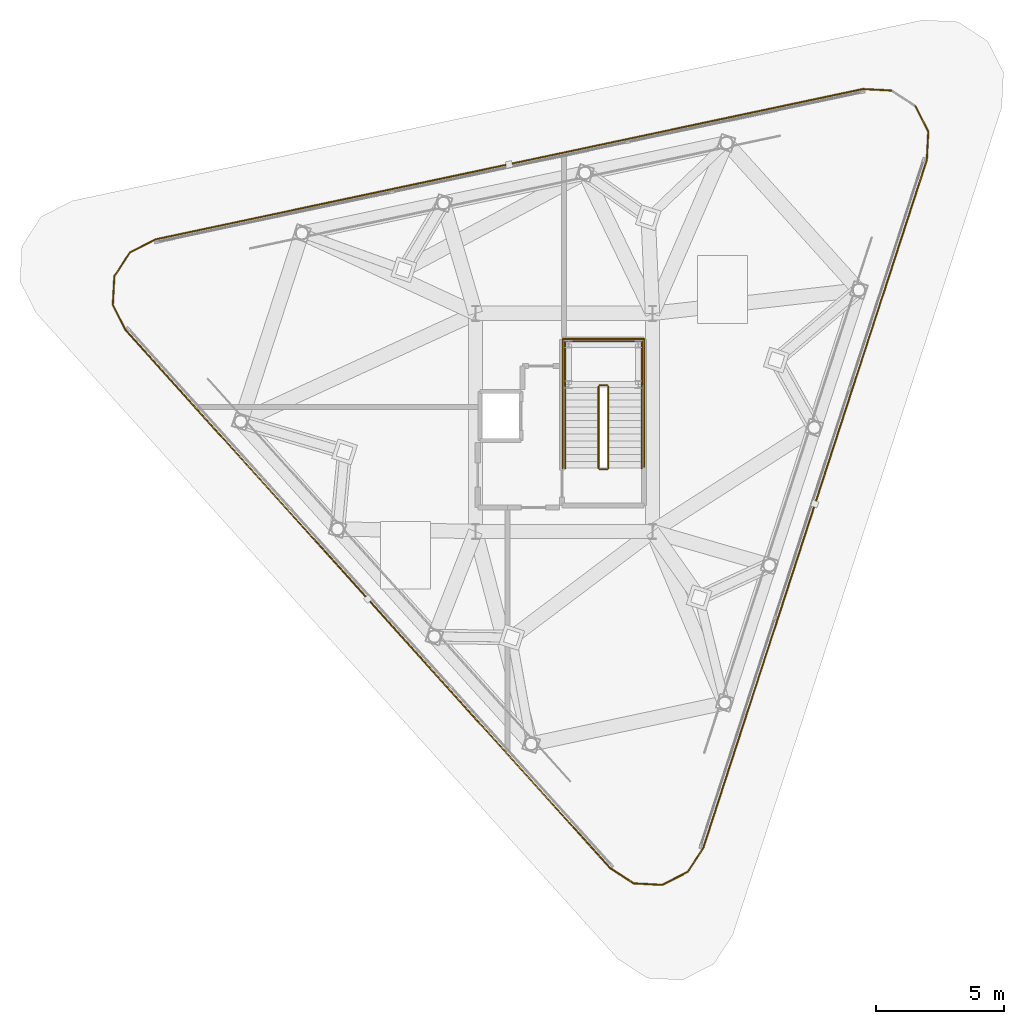
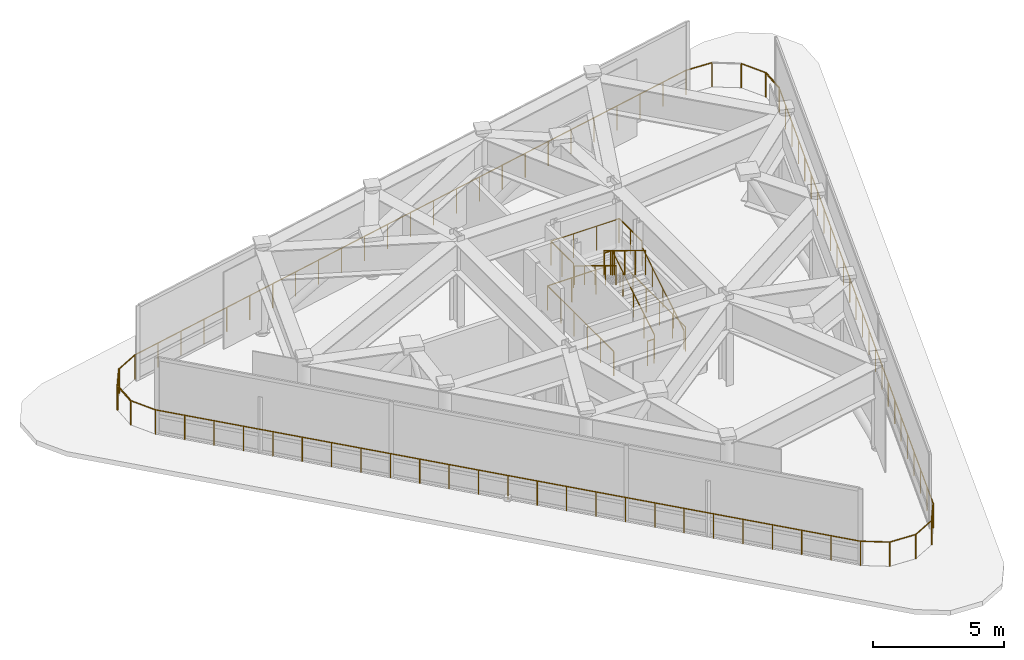
# One storey, part 5 of 6: 26 railings.
"""IFC4 building model written with IfcOpenShell, lengths in metres."""

from ifc_helpers import new_model, si_unit, direction, frame, origin, origin_2d, place, context, subcontext, project, spatial, circle, extrude, material, layer, layer_set, type_object, element, save


model = new_model("IFC4")

# Units and contexts
model_context = context("Model", 3, precision=1e-05, world=origin(), true_north=direction((0.0, 1.0)))
body_context = subcontext(model_context, "Body", "Model", "MODEL_VIEW")
ifc_project = project(units=[si_unit("LENGTHUNIT", "METRE"), si_unit("AREAUNIT", "SQUARE_METRE"), si_unit("VOLUMEUNIT", "CUBIC_METRE"), si_unit("PLANEANGLEUNIT", "RADIAN"), si_unit("MASSUNIT", "GRAM", prefix="KILO")], contexts=[model_context])

# Site, building, storey
site_placement = place(None, origin())
site = spatial("IfcSite", under=ifc_project, at=site_placement, CompositionType="ELEMENT")
building_placement = place(site_placement, origin())
building = spatial("IfcBuilding", under=site, at=building_placement, Name="Terralouvre Media Tower", CompositionType="ELEMENT")
storey_placement = place(building_placement, frame((0.0, 0.0, 326.60009765625)))
storey = spatial("IfcBuildingStorey", under=building, at=storey_placement, Name="L84", CompositionType="ELEMENT", Elevation=326.60009765625)

# Railings
ifc_material_1 = material(Name="Stainless steel 316 handrail and balustrade", Category="steel")
ifc_layer_1 = layer(ifc_material_1, 0.06005859375, Name="Roof Edge Safety Guardrail GR-ROOF1")
ifc_layer_set_1 = layer_set([ifc_layer_1], Name="Stainless steel 316 handrail and balustrade")
railing_type_1 = type_object("IfcRailingType", Name="Roof Edge Safety Guardrail GR-ROOF1", PredefinedType="GUARDRAIL", material=ifc_layer_set_1)
railing_1_placement = place(storey_placement, frame((1.787353515625, -17.364013671875, 0.0)))
element("IfcRailing", 1, at=railing_1_placement, inside=storey, type_object=railing_type_1, Name="L84 Crown Catwalk Safety Guardrail Edge 01", PredefinedType="GUARDRAIL", context=body_context, shape_type="SweptSolid", body=[
    extrude(circle(Radius=0.02392578125, at=origin_2d()), frame((0.0, 0.0, 1.1259765625), z_axis=(0.838639026231, -0.544687601918, 0.0), x_axis=(0.544687601918, 0.838639026231, 0.0)), (0.0, 0.0, 1.0), 1.113037109375),
    extrude(circle(Radius=0.02099609375, at=origin_2d()), origin(), (0.0, 0.0, 1.0), 1.101806640625),
    extrude(circle(Radius=0.02099609375, at=origin_2d()), frame((0.933349609375, -0.606201171875, 0.0)), (0.0, 0.0, 1.0), 1.101806640625),
])
railing_2_placement = place(storey_placement, frame((2.720703125, -17.97021484375, 0.0)))
element("IfcRailing", 2, at=railing_2_placement, inside=storey, type_object=railing_type_1, Name="L84 Crown Catwalk Safety Guardrail Edge 02", PredefinedType="GUARDRAIL", context=body_context, shape_type="SweptSolid", body=[
    extrude(circle(Radius=0.02392578125, at=origin_2d()), frame((0.0, 0.0, 1.1259765625), z_axis=(0.998624487588, -0.052432173228, 0.0), x_axis=(0.052432173228, 0.998624487588, 0.0)), (0.0, 0.0, 1.0), 1.11279296875),
    extrude(circle(Radius=0.02099609375, at=origin_2d()), origin(), (0.0, 0.0, 1.0), 1.101806640625),
    extrude(circle(Radius=0.02099609375, at=origin_2d()), frame((1.111328125, -0.058349609375, 0.0)), (0.0, 0.0, 1.0), 1.101806640625),
])
railing_3_placement = place(storey_placement, frame((3.83203125, -18.028564453125, 0.0)))
element("IfcRailing", 3, at=railing_3_placement, inside=storey, type_object=railing_type_1, Name="L84 Crown Catwalk Safety Guardrail Edge 03", PredefinedType="GUARDRAIL", context=body_context, shape_type="SweptSolid", body=[
    extrude(circle(Radius=0.02392578125, at=origin_2d()), frame((0.0, 0.0, 1.1259765625), z_axis=(0.89097922804, 0.454044067465, 0.0), x_axis=(-0.454044067465, 0.89097922804, 0.0)), (0.0, 0.0, 1.0), 1.113037109375),
    extrude(circle(Radius=0.02099609375, at=origin_2d()), origin(), (0.0, 0.0, 1.0), 1.101806640625),
    extrude(circle(Radius=0.02099609375, at=origin_2d()), frame((0.99169921875, 0.50537109375, 0.0)), (0.0, 0.0, 1.0), 1.101806640625),
])
railing_4_placement = place(storey_placement, frame((4.82373046875, -17.523193359375, 0.0)))
element("IfcRailing", 4, at=railing_4_placement, inside=storey, type_object=railing_type_1, Name="L84 Crown Catwalk Safety Guardrail Edge 04", PredefinedType="GUARDRAIL", context=body_context, shape_type="SweptSolid", body=[
    extrude(circle(Radius=0.02392578125, at=origin_2d()), frame((0.0, 0.0, 1.1259765625), z_axis=(0.544687601918, 0.838639026231, 0.0), x_axis=(-0.838639026231, 0.544687601918, 0.0)), (0.0, 0.0, 1.0), 1.113037109375),
    extrude(circle(Radius=0.02099609375, at=origin_2d()), origin(), (0.0, 0.0, 1.0), 1.101806640625),
    extrude(circle(Radius=0.02099609375, at=origin_2d()), frame((0.606201171875, 0.933349609375, 0.0)), (0.0, 0.0, 1.0), 1.101806640625),
])
railing_5_placement = place(storey_placement, frame((5.429931640625, -16.58984375, 0.0)))
element("IfcRailing", 5, at=railing_5_placement, inside=storey, type_object=railing_type_1, Name="L84 Crown Catwalk Safety Guardrail Edge 05", PredefinedType="GUARDRAIL", context=body_context, shape_type="SweptSolid", body=[
    extrude(circle(Radius=0.02392578125, at=origin_2d()), frame((0.0, 0.0, 1.1259765625), z_axis=(0.309011291148, 0.951058369367, 0.0), x_axis=(-0.951058369367, 0.309011291148, 0.0)), (0.0, 0.0, 1.0), 28.199951171875),
    extrude(circle(Radius=0.02099609375, at=origin_2d()), origin(), (0.0, 0.0, 1.0), 1.101806640625),
    extrude(circle(Radius=0.02099609375, at=origin_2d()), frame((0.363037109375, 1.117431640625, 0.0)), (0.0, 0.0, 1.0), 1.101806640625),
    extrude(circle(Radius=0.02099609375, at=origin_2d()), frame((0.72607421875, 2.23486328125, 0.0)), (0.0, 0.0, 1.0), 1.101806640625),
    extrude(circle(Radius=0.02099609375, at=origin_2d()), frame((1.08935546875, 3.3525390625, 0.0)), (0.0, 0.0, 1.0), 1.101806640625),
    extrude(circle(Radius=0.02099609375, at=origin_2d()), frame((1.452392578125, 4.469970703125, 0.0)), (0.0, 0.0, 1.0), 1.101806640625),
    extrude(circle(Radius=0.02099609375, at=origin_2d()), frame((1.8154296875, 5.58740234375, 0.0)), (0.0, 0.0, 1.0), 1.101806640625),
    extrude(circle(Radius=0.02099609375, at=origin_2d()), frame((2.178466796875, 6.705078125, 0.0)), (0.0, 0.0, 1.0), 1.101806640625),
    extrude(circle(Radius=0.02099609375, at=origin_2d()), frame((2.54150390625, 7.822509765625, 0.0)), (0.0, 0.0, 1.0), 1.101806640625),
    extrude(circle(Radius=0.02099609375, at=origin_2d()), frame((2.90478515625, 8.93994140625, 0.0)), (0.0, 0.0, 1.0), 1.101806640625),
    extrude(circle(Radius=0.02099609375, at=origin_2d()), frame((3.267822265625, 10.057373046875, 0.0)), (0.0, 0.0, 1.0), 1.101806640625),
    extrude(circle(Radius=0.02099609375, at=origin_2d()), frame((3.630859375, 11.1748046875, 0.0)), (0.0, 0.0, 1.0), 1.101806640625),
    extrude(circle(Radius=0.02099609375, at=origin_2d()), frame((3.993896484375, 12.29248046875, 0.0)), (0.0, 0.0, 1.0), 1.101806640625),
    extrude(circle(Radius=0.02099609375, at=origin_2d()), frame((4.35693359375, 13.409912109375, 0.0)), (0.0, 0.0, 1.0), 1.101806640625),
    extrude(circle(Radius=0.02099609375, at=origin_2d()), frame((4.72021484375, 14.52734375, 0.0)), (0.0, 0.0, 1.0), 1.101806640625),
    extrude(circle(Radius=0.02099609375, at=origin_2d()), frame((5.083251953125, 15.64501953125, 0.0)), (0.0, 0.0, 1.0), 1.101806640625),
    extrude(circle(Radius=0.02099609375, at=origin_2d()), frame((5.4462890625, 16.762451171875, 0.0)), (0.0, 0.0, 1.0), 1.101806640625),
    extrude(circle(Radius=0.02099609375, at=origin_2d()), frame((5.809326171875, 17.8798828125, 0.0)), (0.0, 0.0, 1.0), 1.101806640625),
    extrude(circle(Radius=0.02099609375, at=origin_2d()), frame((6.172607421875, 18.997314453125, 0.0)), (0.0, 0.0, 1.0), 1.101806640625),
    extrude(circle(Radius=0.02099609375, at=origin_2d()), frame((6.53564453125, 20.11474609375, 0.0)), (0.0, 0.0, 1.0), 1.101806640625),
    extrude(circle(Radius=0.02099609375, at=origin_2d()), frame((6.898681640625, 21.232421875, 0.0)), (0.0, 0.0, 1.0), 1.101806640625),
    extrude(circle(Radius=0.02099609375, at=origin_2d()), frame((7.26171875, 22.349853515625, 0.0)), (0.0, 0.0, 1.0), 1.101806640625),
    extrude(circle(Radius=0.02099609375, at=origin_2d()), frame((7.624755859375, 23.46728515625, 0.0)), (0.0, 0.0, 1.0), 1.101806640625),
    extrude(circle(Radius=0.02099609375, at=origin_2d()), frame((7.988037109375, 24.5849609375, 0.0)), (0.0, 0.0, 1.0), 1.101806640625),
    extrude(circle(Radius=0.02099609375, at=origin_2d()), frame((8.35107421875, 25.702392578125, 0.0)), (0.0, 0.0, 1.0), 1.101806640625),
    extrude(circle(Radius=0.02099609375, at=origin_2d()), frame((8.714111328125, 26.81982421875, 0.0)), (0.0, 0.0, 1.0), 1.101806640625),
])
railing_6_placement = place(storey_placement, frame((14.14404296875, 10.22998046875, 0.0)))
element("IfcRailing", 6, at=railing_6_placement, inside=storey, type_object=railing_type_1, Name="L84 Crown Catwalk Safety Guardrail Edge 06", PredefinedType="GUARDRAIL", context=body_context, shape_type="SweptSolid", body=[
    extrude(circle(Radius=0.02392578125, at=origin_2d()), frame((0.0, 0.0, 1.1259765625), z_axis=(0.052432173228, 0.998624487588, 0.0), x_axis=(-0.998624487588, 0.052432173228, 0.0)), (0.0, 0.0, 1.0), 1.11279296875),
    extrude(circle(Radius=0.02099609375, at=origin_2d()), origin(), (0.0, 0.0, 1.0), 1.101806640625),
    extrude(circle(Radius=0.02099609375, at=origin_2d()), frame((0.058349609375, 1.111328125, 0.0)), (0.0, 0.0, 1.0), 1.101806640625),
])
railing_7_placement = place(storey_placement, frame((14.202392578125, 11.34130859375, 0.0)))
element("IfcRailing", 7, at=railing_7_placement, inside=storey, type_object=railing_type_1, Name="L84 Crown Catwalk Safety Guardrail Edge 07", PredefinedType="GUARDRAIL", context=body_context, shape_type="SweptSolid", body=[
    extrude(circle(Radius=0.02392578125, at=origin_2d()), frame((0.0, 0.0, 1.1259765625), z_axis=(-0.454044067465, 0.89097922804, 0.0), x_axis=(-0.89097922804, -0.454044067465, 0.0)), (0.0, 0.0, 1.0), 1.113037109375),
    extrude(circle(Radius=0.02099609375, at=origin_2d()), origin(), (0.0, 0.0, 1.0), 1.101806640625),
    extrude(circle(Radius=0.02099609375, at=origin_2d()), frame((-0.50537109375, 0.99169921875, 0.0)), (0.0, 0.0, 1.0), 1.101806640625),
])
railing_8_placement = place(storey_placement, frame((12.763671875, 12.93896484375, 0.0)))
element("IfcRailing", 8, at=railing_8_placement, inside=storey, type_object=railing_type_1, Name="L84 Crown Catwalk Safety Guardrail Edge 09", PredefinedType="GUARDRAIL", context=body_context, shape_type="SweptSolid", body=[
    extrude(circle(Radius=0.02392578125, at=origin_2d()), frame((0.0, 0.0, 1.1259765625), z_axis=(-0.998624487588, 0.052432173228, 0.0), x_axis=(-0.052432173228, -0.998624487588, 0.0)), (0.0, 0.0, 1.0), 1.11279296875),
    extrude(circle(Radius=0.02099609375, at=origin_2d()), origin(), (0.0, 0.0, 1.0), 1.101806640625),
    extrude(circle(Radius=0.02099609375, at=origin_2d()), frame((-1.111328125, 0.058349609375, 0.0)), (0.0, 0.0, 1.0), 1.101806640625),
])
railing_9_placement = place(storey_placement, frame((11.65234375, 12.997314453125, 0.0)))
element("IfcRailing", 9, at=railing_9_placement, inside=storey, type_object=railing_type_1, Name="L84 Crown Catwalk Safety Guardrail Edge 10", PredefinedType="GUARDRAIL", context=body_context, shape_type="SweptSolid", body=[
    extrude(circle(Radius=0.02392578125, at=origin_2d()), frame((0.0, 0.0, 1.1259765625), z_axis=(-0.978148090206, -0.207909388017, 0.0), x_axis=(0.207909388017, -0.978148090206, 0.0)), (0.0, 0.0, 1.0), 28.199951171875),
    extrude(circle(Radius=0.02099609375, at=origin_2d()), origin(), (0.0, 0.0, 1.0), 1.101806640625),
    extrude(circle(Radius=0.02099609375, at=origin_2d()), frame((-1.1494140625, -0.244384765625, 0.0)), (0.0, 0.0, 1.0), 1.101806640625),
    extrude(circle(Radius=0.02099609375, at=origin_2d()), frame((-2.298583984375, -0.488525390625, 0.0)), (0.0, 0.0, 1.0), 1.101806640625),
    extrude(circle(Radius=0.02099609375, at=origin_2d()), frame((-3.447998046875, -0.73291015625, 0.0)), (0.0, 0.0, 1.0), 1.101806640625),
    extrude(circle(Radius=0.02099609375, at=origin_2d()), frame((-4.59716796875, -0.97705078125, 0.0)), (0.0, 0.0, 1.0), 1.101806640625),
    extrude(circle(Radius=0.02099609375, at=origin_2d()), frame((-5.74658203125, -1.221435546875, 0.0)), (0.0, 0.0, 1.0), 1.101806640625),
    extrude(circle(Radius=0.02099609375, at=origin_2d()), frame((-6.89599609375, -1.4658203125, 0.0)), (0.0, 0.0, 1.0), 1.101806640625),
    extrude(circle(Radius=0.02099609375, at=origin_2d()), frame((-8.045166015625, -1.7099609375, 0.0)), (0.0, 0.0, 1.0), 1.101806640625),
    extrude(circle(Radius=0.02099609375, at=origin_2d()), frame((-9.194580078125, -1.954345703125, 0.0)), (0.0, 0.0, 1.0), 1.101806640625),
    extrude(circle(Radius=0.02099609375, at=origin_2d()), frame((-10.343994140625, -2.19873046875, 0.0)), (0.0, 0.0, 1.0), 1.101806640625),
    extrude(circle(Radius=0.02099609375, at=origin_2d()), frame((-11.4931640625, -2.44287109375, 0.0)), (0.0, 0.0, 1.0), 1.101806640625),
    extrude(circle(Radius=0.02099609375, at=origin_2d()), frame((-12.642578125, -2.687255859375, 0.0)), (0.0, 0.0, 1.0), 1.101806640625),
    extrude(circle(Radius=0.02099609375, at=origin_2d()), frame((-13.7919921875, -2.931640625, 0.0)), (0.0, 0.0, 1.0), 1.101806640625),
    extrude(circle(Radius=0.02099609375, at=origin_2d()), frame((-14.941162109375, -3.17578125, 0.0)), (0.0, 0.0, 1.0), 1.101806640625),
    extrude(circle(Radius=0.02099609375, at=origin_2d()), frame((-16.090576171875, -3.420166015625, 0.0)), (0.0, 0.0, 1.0), 1.101806640625),
    extrude(circle(Radius=0.02099609375, at=origin_2d()), frame((-17.23974609375, -3.664306640625, 0.0)), (0.0, 0.0, 1.0), 1.101806640625),
    extrude(circle(Radius=0.02099609375, at=origin_2d()), frame((-18.38916015625, -3.90869140625, 0.0)), (0.0, 0.0, 1.0), 1.101806640625),
    extrude(circle(Radius=0.02099609375, at=origin_2d()), frame((-19.53857421875, -4.153076171875, 0.0)), (0.0, 0.0, 1.0), 1.101806640625),
    extrude(circle(Radius=0.02099609375, at=origin_2d()), frame((-20.687744140625, -4.397216796875, 0.0)), (0.0, 0.0, 1.0), 1.101806640625),
    extrude(circle(Radius=0.02099609375, at=origin_2d()), frame((-21.837158203125, -4.6416015625, 0.0)), (0.0, 0.0, 1.0), 1.101806640625),
    extrude(circle(Radius=0.02099609375, at=origin_2d()), frame((-22.986328125, -4.8857421875, 0.0)), (0.0, 0.0, 1.0), 1.101806640625),
    extrude(circle(Radius=0.02099609375, at=origin_2d()), frame((-24.1357421875, -5.130126953125, 0.0)), (0.0, 0.0, 1.0), 1.101806640625),
    extrude(circle(Radius=0.02099609375, at=origin_2d()), frame((-25.28515625, -5.37451171875, 0.0)), (0.0, 0.0, 1.0), 1.101806640625),
    extrude(circle(Radius=0.02099609375, at=origin_2d()), frame((-26.434326171875, -5.61865234375, 0.0)), (0.0, 0.0, 1.0), 1.101806640625),
    extrude(circle(Radius=0.02099609375, at=origin_2d()), frame((-27.583740234375, -5.863037109375, 0.0)), (0.0, 0.0, 1.0), 1.101806640625),
])
railing_10_placement = place(storey_placement, frame((-15.931396484375, 7.13427734375, 0.0)))
element("IfcRailing", 10, at=railing_10_placement, inside=storey, type_object=railing_type_1, Name="L84 Crown Catwalk Safety Guardrail Edge 11", PredefinedType="GUARDRAIL", context=body_context, shape_type="SweptSolid", body=[
    extrude(circle(Radius=0.02392578125, at=origin_2d()), frame((0.0, 0.0, 1.1259765625), z_axis=(-0.89097922804, -0.454044067465, 0.0), x_axis=(0.454044067465, -0.89097922804, 0.0)), (0.0, 0.0, 1.0), 1.113037109375),
    extrude(circle(Radius=0.02099609375, at=origin_2d()), origin(), (0.0, 0.0, 1.0), 1.101806640625),
    extrude(circle(Radius=0.02099609375, at=origin_2d()), frame((-0.99169921875, -0.50537109375, 0.0)), (0.0, 0.0, 1.0), 1.101806640625),
])
railing_11_placement = place(storey_placement, frame((-16.923095703125, 6.62890625, 0.0)))
element("IfcRailing", 11, at=railing_11_placement, inside=storey, type_object=railing_type_1, Name="L84 Crown Catwalk Safety Guardrail Edge 12", PredefinedType="GUARDRAIL", context=body_context, shape_type="SweptSolid", body=[
    extrude(circle(Radius=0.02392578125, at=origin_2d()), frame((0.0, 0.0, 1.1259765625), z_axis=(-0.544687601918, -0.838639026231, 0.0), x_axis=(0.838639026231, -0.544687601918, 0.0)), (0.0, 0.0, 1.0), 1.113037109375),
    extrude(circle(Radius=0.02099609375, at=origin_2d()), origin(), (0.0, 0.0, 1.0), 1.101806640625),
    extrude(circle(Radius=0.02099609375, at=origin_2d()), frame((-0.606201171875, -0.933349609375, 0.0)), (0.0, 0.0, 1.0), 1.101806640625),
])
railing_12_placement = place(storey_placement, frame((-17.529296875, 5.695556640625, 0.0)))
element("IfcRailing", 12, at=railing_12_placement, inside=storey, type_object=railing_type_1, Name="L84 Crown Catwalk Safety Guardrail Edge 13", PredefinedType="GUARDRAIL", context=body_context, shape_type="SweptSolid", body=[
    extrude(circle(Radius=0.02392578125, at=origin_2d()), frame((0.0, 0.0, 1.1259765625), z_axis=(-0.052213391089, -0.99863595058, 0.0), x_axis=(0.99863595058, -0.052213391089, 0.0)), (0.0, 0.0, 1.0), 1.11279296875),
    extrude(circle(Radius=0.02099609375, at=origin_2d()), origin(), (0.0, 0.0, 1.0), 1.101806640625),
    extrude(circle(Radius=0.02099609375, at=origin_2d()), frame((-0.05810546875, -1.111328125, 0.0)), (0.0, 0.0, 1.0), 1.101806640625),
])
railing_13_placement = place(storey_placement, frame((-17.58740234375, 4.584228515625, 0.0)))
element("IfcRailing", 13, at=railing_13_placement, inside=storey, type_object=railing_type_1, Name="L84 Crown Catwalk Safety Guardrail Edge 14", PredefinedType="GUARDRAIL", context=body_context, shape_type="SweptSolid", body=[
    extrude(circle(Radius=0.02392578125, at=origin_2d()), frame((0.0, 0.0, 1.1259765625), z_axis=(0.453869915776, -0.89106795451, 0.0), x_axis=(0.89106795451, 0.453869915776, 0.0)), (0.0, 0.0, 1.0), 1.113037109375),
    extrude(circle(Radius=0.02099609375, at=origin_2d()), origin(), (0.0, 0.0, 1.0), 1.101806640625),
    extrude(circle(Radius=0.02099609375, at=origin_2d()), frame((0.505126953125, -0.99169921875, 0.0)), (0.0, 0.0, 1.0), 1.101806640625),
])
railing_14_placement = place(storey_placement, frame((-17.082275390625, 3.592529296875, 0.0)))
element("IfcRailing", 14, at=railing_14_placement, inside=storey, type_object=railing_type_1, Name="L84 Crown Catwalk Safety Guardrail Edge 15", PredefinedType="GUARDRAIL", context=body_context, shape_type="SweptSolid", body=[
    extrude(circle(Radius=0.02392578125, at=origin_2d()), frame((0.0, 0.0, 1.1259765625), z_axis=(0.669135950042, -0.743140013969, 0.0), x_axis=(0.743140013969, 0.669135950042, 0.0)), (0.0, 0.0, 1.0), 28.199951171875),
    extrude(circle(Radius=0.02099609375, at=origin_2d()), origin(), (0.0, 0.0, 1.0), 1.101806640625),
    extrude(circle(Radius=0.02099609375, at=origin_2d()), frame((0.7861328125, -0.873291015625, 0.0)), (0.0, 0.0, 1.0), 1.101806640625),
    extrude(circle(Radius=0.02099609375, at=origin_2d()), frame((1.572509765625, -1.746337890625, 0.0)), (0.0, 0.0, 1.0), 1.101806640625),
    extrude(circle(Radius=0.02099609375, at=origin_2d()), frame((2.358642578125, -2.61962890625, 0.0)), (0.0, 0.0, 1.0), 1.101806640625),
    extrude(circle(Radius=0.02099609375, at=origin_2d()), frame((3.14501953125, -3.49267578125, 0.0)), (0.0, 0.0, 1.0), 1.101806640625),
    extrude(circle(Radius=0.02099609375, at=origin_2d()), frame((3.93115234375, -4.365966796875, 0.0)), (0.0, 0.0, 1.0), 1.101806640625),
    extrude(circle(Radius=0.02099609375, at=origin_2d()), frame((4.71728515625, -5.2392578125, 0.0)), (0.0, 0.0, 1.0), 1.101806640625),
    extrude(circle(Radius=0.02099609375, at=origin_2d()), frame((5.503662109375, -6.1123046875, 0.0)), (0.0, 0.0, 1.0), 1.101806640625),
    extrude(circle(Radius=0.02099609375, at=origin_2d()), frame((6.289794921875, -6.985595703125, 0.0)), (0.0, 0.0, 1.0), 1.101806640625),
    extrude(circle(Radius=0.02099609375, at=origin_2d()), frame((7.076171875, -7.858642578125, 0.0)), (0.0, 0.0, 1.0), 1.101806640625),
    extrude(circle(Radius=0.02099609375, at=origin_2d()), frame((7.8623046875, -8.73193359375, 0.0)), (0.0, 0.0, 1.0), 1.101806640625),
    extrude(circle(Radius=0.02099609375, at=origin_2d()), frame((8.648681640625, -9.60498046875, 0.0)), (0.0, 0.0, 1.0), 1.101806640625),
    extrude(circle(Radius=0.02099609375, at=origin_2d()), frame((9.434814453125, -10.478271484375, 0.0)), (0.0, 0.0, 1.0), 1.101806640625),
    extrude(circle(Radius=0.02099609375, at=origin_2d()), frame((10.220947265625, -11.3515625, 0.0)), (0.0, 0.0, 1.0), 1.101806640625),
    extrude(circle(Radius=0.02099609375, at=origin_2d()), frame((11.00732421875, -12.224609375, 0.0)), (0.0, 0.0, 1.0), 1.101806640625),
    extrude(circle(Radius=0.02099609375, at=origin_2d()), frame((11.79345703125, -13.097900390625, 0.0)), (0.0, 0.0, 1.0), 1.101806640625),
    extrude(circle(Radius=0.02099609375, at=origin_2d()), frame((12.579833984375, -13.970947265625, 0.0)), (0.0, 0.0, 1.0), 1.101806640625),
    extrude(circle(Radius=0.02099609375, at=origin_2d()), frame((13.365966796875, -14.84423828125, 0.0)), (0.0, 0.0, 1.0), 1.101806640625),
    extrude(circle(Radius=0.02099609375, at=origin_2d()), frame((14.15234375, -15.71728515625, 0.0)), (0.0, 0.0, 1.0), 1.101806640625),
    extrude(circle(Radius=0.02099609375, at=origin_2d()), frame((14.9384765625, -16.590576171875, 0.0)), (0.0, 0.0, 1.0), 1.101806640625),
    extrude(circle(Radius=0.02099609375, at=origin_2d()), frame((15.724609375, -17.4638671875, 0.0)), (0.0, 0.0, 1.0), 1.101806640625),
    extrude(circle(Radius=0.02099609375, at=origin_2d()), frame((16.510986328125, -18.3369140625, 0.0)), (0.0, 0.0, 1.0), 1.101806640625),
    extrude(circle(Radius=0.02099609375, at=origin_2d()), frame((17.297119140625, -19.210205078125, 0.0)), (0.0, 0.0, 1.0), 1.101806640625),
    extrude(circle(Radius=0.02099609375, at=origin_2d()), frame((18.08349609375, -20.083251953125, 0.0)), (0.0, 0.0, 1.0), 1.101806640625),
    extrude(circle(Radius=0.02099609375, at=origin_2d()), frame((18.86962890625, -20.95654296875, 0.0)), (0.0, 0.0, 1.0), 1.101806640625),
])
ifc_material_2 = material(Name="Stainless steel 316 handrail and balustrade", Category="steel")
ifc_layer_2 = layer(ifc_material_2, 0.050048828125, Name="Stair Flight Wall Handrail HR-INT1")
ifc_layer_set_2 = layer_set([ifc_layer_2], Name="Stainless steel 316 handrail and balustrade")
railing_type_2 = type_object("IfcRailingType", Name="Stair Flight Wall Handrail HR-INT1", PredefinedType="HANDRAIL", material=ifc_layer_set_2)
railing_15_placement = place(storey_placement, frame((3.030029296875, -1.780029296875, 0.161376953125)))
element("IfcRailing", 15, at=railing_15_placement, inside=storey, type_object=railing_type_2, Name="L84 ST-05 stair handrail 1", PredefinedType="HANDRAIL", context=body_context, shape_type="SweptSolid", body=[
    extrude(circle(Radius=0.02392578125, at=origin_2d()), frame((0.0, 0.0, 0.8759765625), z_axis=(0.0, 0.853856579767, 0.520508348818), x_axis=(-1.0, 0.0, 0.0)), (0.0, 0.0, 1.0), 3.72412109375),
    extrude(circle(Radius=0.02099609375, at=origin_2d()), origin(), (0.0, 0.0, 1.0), 0.851806640625),
    extrude(circle(Radius=0.02099609375, at=origin_2d()), frame((0.0, 0.794921875, 0.484619140625)), (0.0, 0.0, 1.0), 0.851806640625),
    extrude(circle(Radius=0.02099609375, at=origin_2d()), frame((0.0, 1.58984375, 0.96923828125)), (0.0, 0.0, 1.0), 0.851806640625),
    extrude(circle(Radius=0.02099609375, at=origin_2d()), frame((0.0, 2.385009765625, 1.453857421875)), (0.0, 0.0, 1.0), 0.851806640625),
    extrude(circle(Radius=0.02099609375, at=origin_2d()), frame((0.0, 3.179931640625, 1.9384765625)), (0.0, 0.0, 1.0), 0.851806640625),
])
railing_16_placement = place(storey_placement, frame((0.050048828125, 1.39990234375, 2.261474609375)))
element("IfcRailing", 16, at=railing_16_placement, inside=storey, type_object=railing_type_2, Name="L84 ST-05 stair handrail 2", PredefinedType="HANDRAIL", context=body_context, shape_type="SweptSolid", body=[
    extrude(circle(Radius=0.02392578125, at=origin_2d()), frame((0.0, 0.0, 0.8759765625), z_axis=(0.0, -0.853856579767, 0.520508348818), x_axis=(1.0, 0.0, 0.0)), (0.0, 0.0, 1.0), 3.72412109375),
    extrude(circle(Radius=0.02099609375, at=origin_2d()), origin(), (0.0, 0.0, 1.0), 0.851806640625),
    extrude(circle(Radius=0.02099609375, at=origin_2d()), frame((0.0, -0.794921875, 0.484619140625)), (0.0, 0.0, 1.0), 0.851806640625),
    extrude(circle(Radius=0.02099609375, at=origin_2d()), frame((0.0, -1.58984375, 0.96923828125)), (0.0, 0.0, 1.0), 0.851806640625),
    extrude(circle(Radius=0.02099609375, at=origin_2d()), frame((0.0, -2.385009765625, 1.453857421875)), (0.0, 0.0, 1.0), 0.851806640625),
    extrude(circle(Radius=0.02099609375, at=origin_2d()), frame((0.0, -3.179931640625, 1.9384765625)), (0.0, 0.0, 1.0), 0.851806640625),
])
ifc_material_3 = material(Name="Stainless steel 316 handrail and balustrade", Category="steel")
ifc_layer_3 = layer(ifc_material_3, 0.050048828125, Name="Stairwell Safety Guardrail GR-INT1")
ifc_layer_set_3 = layer_set([ifc_layer_3], Name="Stainless steel 316 handrail and balustrade")
railing_type_3 = type_object("IfcRailingType", Name="Stairwell Safety Guardrail GR-INT1", PredefinedType="GUARDRAIL", material=ifc_layer_set_3)
railing_17_placement = place(storey_placement, frame((1.72998046875, -1.780029296875, 0.161376953125)))
element("IfcRailing", 17, at=railing_17_placement, inside=storey, type_object=railing_type_3, Name="L84 ST-05 stair guard 1", PredefinedType="GUARDRAIL", context=body_context, shape_type="SweptSolid", body=[
    extrude(circle(Radius=0.02392578125, at=origin_2d()), frame((0.0, 0.0, 1.1259765625), z_axis=(0.0, 0.853856579767, 0.520508348818), x_axis=(-1.0, 0.0, 0.0)), (0.0, 0.0, 1.0), 3.72412109375),
    extrude(circle(Radius=0.02099609375, at=origin_2d()), origin(), (0.0, 0.0, 1.0), 1.101806640625),
    extrude(circle(Radius=0.02099609375, at=origin_2d()), frame((0.0, 0.794921875, 0.484619140625)), (0.0, 0.0, 1.0), 1.101806640625),
    extrude(circle(Radius=0.02099609375, at=origin_2d()), frame((0.0, 1.58984375, 0.96923828125)), (0.0, 0.0, 1.0), 1.101806640625),
    extrude(circle(Radius=0.02099609375, at=origin_2d()), frame((0.0, 2.385009765625, 1.453857421875)), (0.0, 0.0, 1.0), 1.101806640625),
    extrude(circle(Radius=0.02099609375, at=origin_2d()), frame((0.0, 3.179931640625, 1.9384765625)), (0.0, 0.0, 1.0), 1.101806640625),
])
railing_18_placement = place(storey_placement, frame((1.679931640625, 1.449951171875, 2.099853515625)))
element("IfcRailing", 18, at=railing_18_placement, inside=storey, type_object=railing_type_3, Name="L84 ST-05 stair guard 2", PredefinedType="GUARDRAIL", context=body_context, shape_type="SweptSolid", body=[
    extrude(circle(Radius=0.02392578125, at=origin_2d()), frame((0.0, 0.0, 1.1259765625), z_axis=(-1.0, 0.0, 0.0), x_axis=(0.0, -1.0, 0.0)), (0.0, 0.0, 1.0), 0.280029296875),
    extrude(circle(Radius=0.02099609375, at=origin_2d()), origin(), (0.0, 0.0, 1.0), 1.101806640625),
    extrude(circle(Radius=0.02099609375, at=origin_2d()), frame((-0.280029296875, 0.0, 0.0)), (0.0, 0.0, 1.0), 1.101806640625),
])
railing_19_placement = place(storey_placement, frame((1.35009765625, 1.39990234375, 2.261474609375)))
element("IfcRailing", 19, at=railing_19_placement, inside=storey, type_object=railing_type_3, Name="L84 ST-05 stair guard 3", PredefinedType="GUARDRAIL", context=body_context, shape_type="SweptSolid", body=[
    extrude(circle(Radius=0.02392578125, at=origin_2d()), frame((0.0, 0.0, 1.1259765625), z_axis=(0.0, -0.853856579767, 0.520508348818), x_axis=(1.0, 0.0, 0.0)), (0.0, 0.0, 1.0), 3.72412109375),
    extrude(circle(Radius=0.02099609375, at=origin_2d()), origin(), (0.0, 0.0, 1.0), 1.101806640625),
    extrude(circle(Radius=0.02099609375, at=origin_2d()), frame((0.0, -0.794921875, 0.484619140625)), (0.0, 0.0, 1.0), 1.101806640625),
    extrude(circle(Radius=0.02099609375, at=origin_2d()), frame((0.0, -1.58984375, 0.96923828125)), (0.0, 0.0, 1.0), 1.101806640625),
    extrude(circle(Radius=0.02099609375, at=origin_2d()), frame((0.0, -2.385009765625, 1.453857421875)), (0.0, 0.0, 1.0), 1.101806640625),
    extrude(circle(Radius=0.02099609375, at=origin_2d()), frame((0.0, -3.179931640625, 1.9384765625)), (0.0, 0.0, 1.0), 1.101806640625),
])
railing_20_placement = place(storey_placement, frame((1.679931640625, -1.830078125, 0.0)))
element("IfcRailing", 20, at=railing_20_placement, inside=storey, type_object=railing_type_3, Name="L84 ST-05 stair guard 4", PredefinedType="GUARDRAIL", context=body_context, shape_type="SweptSolid", body=[
    extrude(circle(Radius=0.02392578125, at=origin_2d()), frame((0.0, 0.0, 1.1259765625), z_axis=(-1.0, 0.0, 0.0), x_axis=(0.0, -1.0, 0.0)), (0.0, 0.0, 1.0), 0.280029296875),
    extrude(circle(Radius=0.02099609375, at=origin_2d()), origin(), (0.0, 0.0, 1.0), 1.101806640625),
    extrude(circle(Radius=0.02099609375, at=origin_2d()), frame((-0.280029296875, 0.0, 0.0)), (0.0, 0.0, 1.0), 1.101806640625),
])
for number, where, name in (
    (21, (0.0400390625, 1.43994140625, 2.099853515625), "L84 ST-05 Half-Landing West Guardrail"),
    (22, (3.0400390625, 1.43994140625, 2.099853515625), "L84 ST-05 Half-Landing East Guardrail"),
):
    element("IfcRailing", number, at=place(storey_placement, frame(where)), inside=storey, type_object=railing_type_3, Name=name, PredefinedType="GUARDRAIL", context=body_context, shape_type="SweptSolid", body=[
        extrude(circle(Radius=0.02392578125, at=origin_2d()), frame((0.0, 0.0, 1.1259765625), z_axis=(0.0, 1.0, 0.0), x_axis=(-1.0, 0.0, 0.0)), (0.0, 0.0, 1.0), 1.719970703125),
        extrude(circle(Radius=0.02099609375, at=origin_2d()), origin(), (0.0, 0.0, 1.0), 1.101806640625),
        extrude(circle(Radius=0.02099609375, at=origin_2d()), frame((0.0, 0.85986328125, 0.0)), (0.0, 0.0, 1.0), 1.101806640625),
        extrude(circle(Radius=0.02099609375, at=origin_2d()), frame((0.0, 1.719970703125, 0.0)), (0.0, 0.0, 1.0), 1.101806640625),
    ])
railing_21_placement = place(storey_placement, frame((0.0400390625, 3.159912109375, 2.099853515625)))
element("IfcRailing", 23, at=railing_21_placement, inside=storey, type_object=railing_type_3, Name="L84 ST-05 Half-Landing North Guardrail", PredefinedType="GUARDRAIL", context=body_context, shape_type="SweptSolid", body=[
    extrude(circle(Radius=0.02392578125, at=origin_2d()), frame((0.0, 0.0, 1.1259765625), z_axis=(1.0, 0.0, 0.0), x_axis=(0.0, 1.0, 0.0)), (0.0, 0.0, 1.0), 3.0),
    extrude(circle(Radius=0.02099609375, at=origin_2d()), origin(), (0.0, 0.0, 1.0), 1.101806640625),
    extrude(circle(Radius=0.02099609375, at=origin_2d()), frame((1.0, 0.0, 0.0)), (0.0, 0.0, 1.0), 1.101806640625),
    extrude(circle(Radius=0.02099609375, at=origin_2d()), frame((2.0, 0.0, 0.0)), (0.0, 0.0, 1.0), 1.101806640625),
    extrude(circle(Radius=0.02099609375, at=origin_2d()), frame((3.0, 0.0, 0.0)), (0.0, 0.0, 1.0), 1.101806640625),
])
railing_22_placement = place(storey_placement, frame((-0.050048828125, -1.780029296875, 0.0)))
element("IfcRailing", 24, at=railing_22_placement, inside=storey, type_object=railing_type_3, Name="L84 ST-05 Floor Well West Guardrail", PredefinedType="GUARDRAIL", context=body_context, shape_type="SweptSolid", body=[
    extrude(circle(Radius=0.02392578125, at=origin_2d()), frame((0.0, 0.0, 1.1259765625), z_axis=(0.0, 1.0, 0.0), x_axis=(-1.0, 0.0, 0.0)), (0.0, 0.0, 1.0), 5.030029296875),
    extrude(circle(Radius=0.02099609375, at=origin_2d()), origin(), (0.0, 0.0, 1.0), 1.101806640625),
    extrude(circle(Radius=0.02099609375, at=origin_2d()), frame((0.0, 1.006103515625, 0.0)), (0.0, 0.0, 1.0), 1.101806640625),
    extrude(circle(Radius=0.02099609375, at=origin_2d()), frame((0.0, 2.011962890625, 0.0)), (0.0, 0.0, 1.0), 1.101806640625),
    extrude(circle(Radius=0.02099609375, at=origin_2d()), frame((0.0, 3.01806640625, 0.0)), (0.0, 0.0, 1.0), 1.101806640625),
    extrude(circle(Radius=0.02099609375, at=origin_2d()), frame((0.0, 4.02392578125, 0.0)), (0.0, 0.0, 1.0), 1.101806640625),
    extrude(circle(Radius=0.02099609375, at=origin_2d()), frame((0.0, 5.030029296875, 0.0)), (0.0, 0.0, 1.0), 1.101806640625),
])
railing_23_placement = place(storey_placement, frame((-0.050048828125, 3.25, 0.0)))
element("IfcRailing", 25, at=railing_23_placement, inside=storey, type_object=railing_type_3, Name="L84 ST-05 Floor Well North Guardrail", PredefinedType="GUARDRAIL", context=body_context, shape_type="SweptSolid", body=[
    extrude(circle(Radius=0.02392578125, at=origin_2d()), frame((0.0, 0.0, 1.1259765625), z_axis=(1.0, 0.0, 0.0), x_axis=(0.0, 1.0, 0.0)), (0.0, 0.0, 1.0), 3.179931640625),
    extrude(circle(Radius=0.02099609375, at=origin_2d()), origin(), (0.0, 0.0, 1.0), 1.101806640625),
    extrude(circle(Radius=0.02099609375, at=origin_2d()), frame((1.06005859375, 0.0, 0.0)), (0.0, 0.0, 1.0), 1.101806640625),
    extrude(circle(Radius=0.02099609375, at=origin_2d()), frame((2.119873046875, 0.0, 0.0)), (0.0, 0.0, 1.0), 1.101806640625),
    extrude(circle(Radius=0.02099609375, at=origin_2d()), frame((3.179931640625, 0.0, 0.0)), (0.0, 0.0, 1.0), 1.101806640625),
])
railing_24_placement = place(storey_placement, frame((3.1298828125, -1.72998046875, 0.0)))
element("IfcRailing", 26, at=railing_24_placement, inside=storey, type_object=railing_type_3, Name="L84 ST-05 Floor Well East Guardrail", PredefinedType="GUARDRAIL", context=body_context, shape_type="SweptSolid", body=[
    extrude(circle(Radius=0.02392578125, at=origin_2d()), frame((0.0, 0.0, 1.1259765625), z_axis=(0.0, 1.0, 0.0), x_axis=(-1.0, 0.0, 0.0)), (0.0, 0.0, 1.0), 4.97998046875),
    extrude(circle(Radius=0.02099609375, at=origin_2d()), origin(), (0.0, 0.0, 1.0), 1.101806640625),
    extrude(circle(Radius=0.02099609375, at=origin_2d()), frame((0.0, 0.99609375, 0.0)), (0.0, 0.0, 1.0), 1.101806640625),
    extrude(circle(Radius=0.02099609375, at=origin_2d()), frame((0.0, 1.991943359375, 0.0)), (0.0, 0.0, 1.0), 1.101806640625),
    extrude(circle(Radius=0.02099609375, at=origin_2d()), frame((0.0, 2.988037109375, 0.0)), (0.0, 0.0, 1.0), 1.101806640625),
    extrude(circle(Radius=0.02099609375, at=origin_2d()), frame((0.0, 3.98388671875, 0.0)), (0.0, 0.0, 1.0), 1.101806640625),
    extrude(circle(Radius=0.02099609375, at=origin_2d()), frame((0.0, 4.97998046875, 0.0)), (0.0, 0.0, 1.0), 1.101806640625),
])

save(model, "model.ifc")
